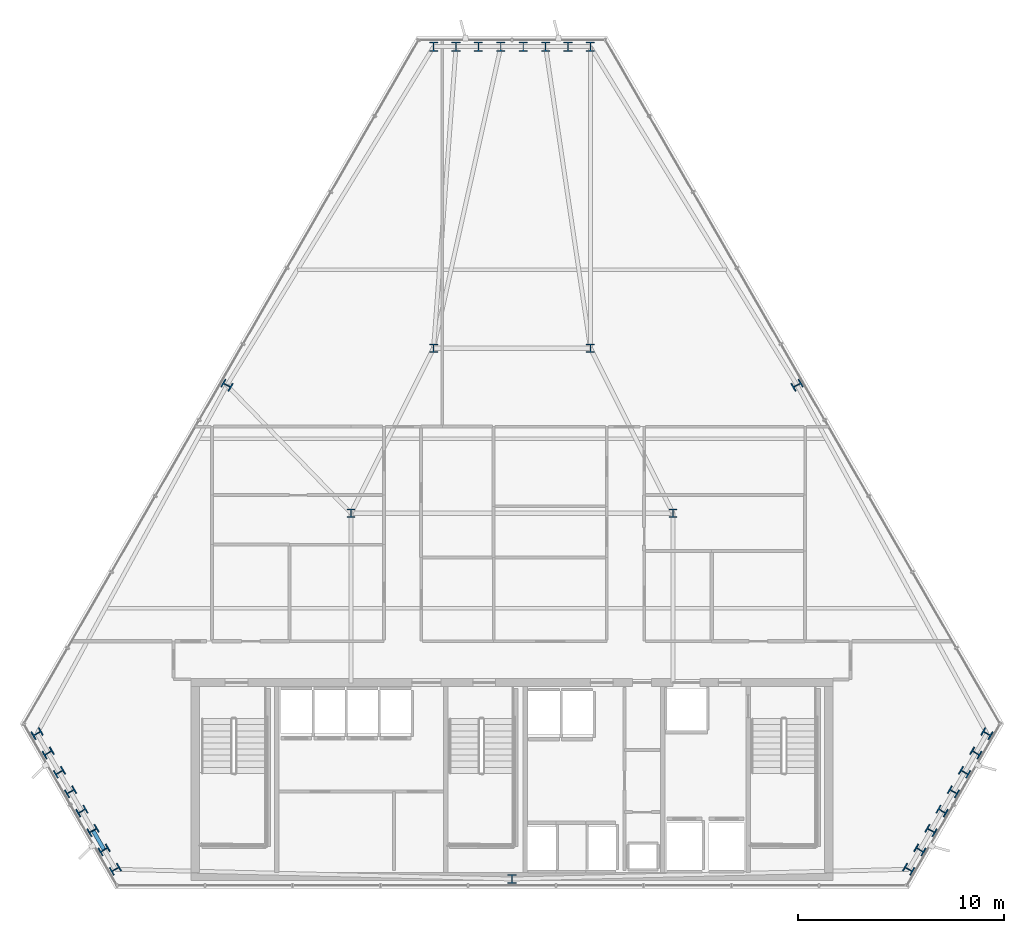
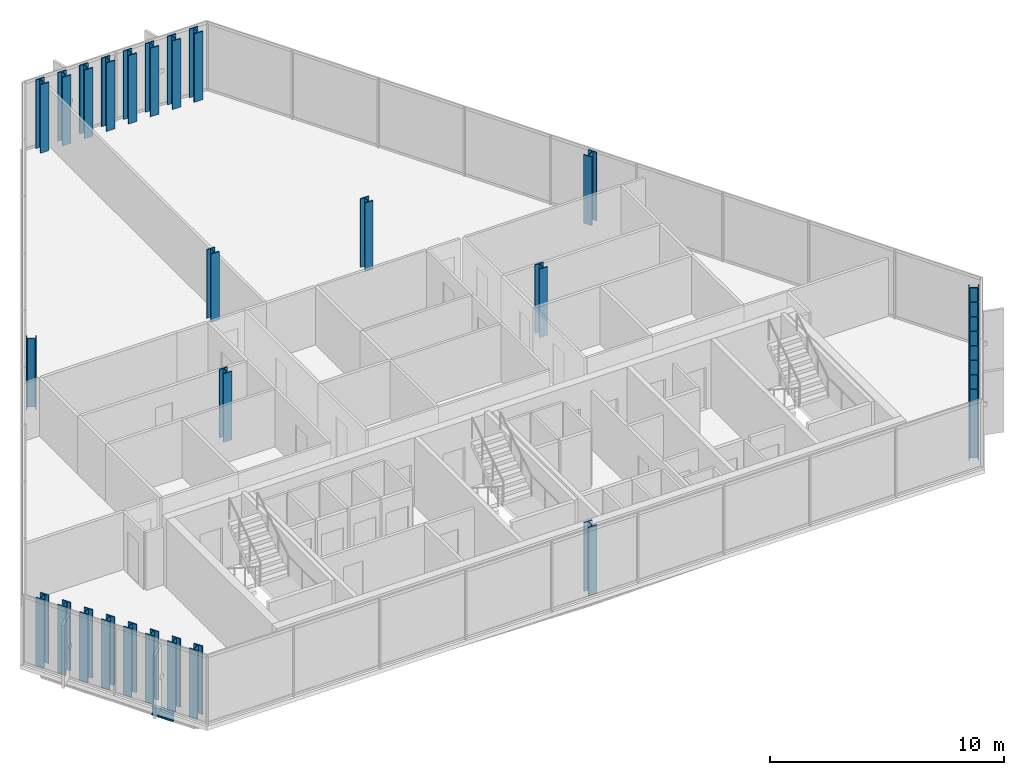
# One storey, part 1 of 34: 31 columns, 1 beam.
"""IFC4 building model written with IfcOpenShell, lengths in metres."""

from ifc_helpers import new_model, si_unit, direction, frame, origin, origin_2d, place, context, subcontext, project, spatial, i_section, extrude, material, material_profile, profile_set, type_object, element, save


model = new_model("IFC4")

# Units and contexts
model_context = context("Model", 3, precision=1e-05, world=origin(), true_north=direction((0.0, 1.0)))
body_context = subcontext(model_context, "Body", "Model", "MODEL_VIEW")
ifc_project = project(units=[si_unit("LENGTHUNIT", "METRE"), si_unit("AREAUNIT", "SQUARE_METRE"), si_unit("VOLUMEUNIT", "CUBIC_METRE"), si_unit("PLANEANGLEUNIT", "RADIAN"), si_unit("MASSUNIT", "GRAM", prefix="KILO")], contexts=[model_context])

# Site, building, storey
site_placement = place(None, origin())
site = spatial("IfcSite", under=ifc_project, at=site_placement, CompositionType="ELEMENT")
building_placement = place(site_placement, origin())
building = spatial("IfcBuilding", under=site, at=building_placement, Name="Ndaravel Arena Tower", CompositionType="ELEMENT")
storey_placement = place(building_placement, frame((0.0, 0.0, 195.39990234375)))
storey = spatial("IfcBuildingStorey", under=building, at=storey_placement, Name="L47", CompositionType="ELEMENT", Elevation=195.39990234375)

# Columns
ifc_material_1 = material(Name="Steel S355", Category="steel")
ifc_material_profile_1 = material_profile(ifc_material_1, i_section(OverallWidth=0.406982421875, OverallDepth=0.4189453125, WebThickness=0.030517578125, FlangeThickness=0.04931640625, FilletRadius=0.01513671875, at=origin_2d()), Name="UC 356x406x393")
ifc_profile_set_1 = profile_set([ifc_material_profile_1], Name="Steel S355")
column_type_1 = type_object("IfcColumnType", Name="COL-INT-UC393", PredefinedType="COLUMN", material=ifc_profile_set_1)
for number, where, z_axis, x_axis, name in (
    (1, (34.199951171875, 23.199951171875, 0.0), (0.0, 0.0, 1.0), (1.0, 0.0, 0.0), "L47 Interior Spine Column IC-01"),
    (2, (49.800048828125, 23.199951171875, 0.0), (0.0, 0.0, 1.0), (1.0, 0.0, 0.0), "L47 Interior Spine Column IC-02"),
    (3, (38.199951171875, 31.199951171875, 0.0), (0.0, 0.0, 1.0), (1.0, 0.0, 0.0), "L47 Interior Spine Column IC-03"),
    (4, (45.800048828125, 31.199951171875, 0.0), (0.0, 0.0, 1.0), (1.0, 0.0, 0.0), "L47 Interior Spine Column IC-04"),
):
    element("IfcColumn", number, at=place(storey_placement, frame(where, z_axis=z_axis, x_axis=x_axis)), inside=storey, type_object=column_type_1, Name=name, PredefinedType="COLUMN", context=body_context, shape_type="SweptSolid", body=[
        extrude(i_section(OverallWidth=0.406982421875, OverallDepth=0.4189453125, WebThickness=0.030517578125, FlangeThickness=0.04931640625, FilletRadius=0.01513671875, at=origin_2d()), origin(), (0.0, 0.0, 1.0), 3.580078125),
    ])
ifc_material_2 = material(Name="Steel S355", Category="steel")
ifc_material_profile_2 = material_profile(ifc_material_2, i_section(OverallWidth=0.41796875, OverallDepth=0.455078125, WebThickness=0.0419921875, FlangeThickness=0.052001953125, FilletRadius=0.014892578125, at=origin_2d()), Name="HD 400x551")
ifc_profile_set_2 = profile_set([ifc_material_profile_2], Name="Steel S355")
column_type_2 = type_object("IfcColumnType", Name="COL-TUBE-HD551", PredefinedType="COLUMN", material=ifc_profile_set_2)
for number, where, z_axis, x_axis, name in (
    (5, (42.0, 5.47998046875, 0.0), (0.0, 0.0, 1.0), (1.0, 0.0, 0.0), "L47 Framed Tube Column TC-01"),
    (6, (61.215087890625, 5.94970703125, 0.0), (0.0, 0.0, 1.0), (0.5, 0.866025403784, 0.0), "L47 Framed Tube Column TC-02"),
    (7, (61.75732421875, 6.888916015625, 0.0), (0.0, 0.0, 1.0), (0.5, 0.866025403784, 0.0), "L47 Framed Tube Column TC-03"),
    (8, (62.2998046875, 7.828125, 0.0), (0.0, 0.0, 1.0), (0.5, 0.866025403784, 0.0), "L47 Framed Tube Column TC-04"),
    (9, (62.842041015625, 8.767333984375, 0.0), (0.0, 0.0, 1.0), (0.5, 0.866025403784, 0.0), "L47 Framed Tube Column TC-05"),
    (10, (63.38427734375, 9.706787109375, 0.0), (0.0, 0.0, 1.0), (0.5, 0.866025403784, 0.0), "L47 Framed Tube Column TC-06"),
    (11, (63.926513671875, 10.64599609375, 0.0), (0.0, 0.0, 1.0), (0.5, 0.866025403784, 0.0), "L47 Framed Tube Column TC-07"),
    (12, (64.46875, 11.585205078125, 0.0), (0.0, 0.0, 1.0), (0.5, 0.866025403784, 0.0), "L47 Framed Tube Column TC-08"),
    (13, (65.010986328125, 12.5244140625, 0.0), (0.0, 0.0, 1.0), (0.5, 0.866025403784, 0.0), "L47 Framed Tube Column TC-09"),
    (14, (55.810302734375, 29.39990234375, 0.0), (0.0, 0.0, 1.0), (-0.5, 0.866025403784, 0.0), "L47 Framed Tube Column TC-10"),
    (15, (45.7958984375, 45.805908203125, 0.0), (0.0, 0.0, 1.0), (1.0, 0.0, 0.0), "L47 Framed Tube Column TC-11"),
    (16, (44.71142578125, 45.805908203125, 0.0), (0.0, 0.0, 1.0), (1.0, 0.0, 0.0), "L47 Framed Tube Column TC-12"),
    (17, (43.626953125, 45.805908203125, 0.0), (0.0, 0.0, 1.0), (1.0, 0.0, 0.0), "L47 Framed Tube Column TC-13"),
    (18, (42.542236328125, 45.805908203125, 0.0), (0.0, 0.0, 1.0), (1.0, 0.0, 0.0), "L47 Framed Tube Column TC-14"),
    (19, (41.457763671875, 45.805908203125, 0.0), (0.0, 0.0, 1.0), (1.0, 0.0, 0.0), "L47 Framed Tube Column TC-15"),
    (20, (40.373046875, 45.805908203125, 0.0), (0.0, 0.0, 1.0), (1.0, 0.0, 0.0), "L47 Framed Tube Column TC-16"),
    (21, (39.28857421875, 45.805908203125, 0.0), (0.0, 0.0, 1.0), (1.0, 0.0, 0.0), "L47 Framed Tube Column TC-17"),
    (22, (38.2041015625, 45.805908203125, 0.0), (0.0, 0.0, 1.0), (1.0, 0.0, 0.0), "L47 Framed Tube Column TC-18"),
    (23, (28.189697265625, 29.400146484375, 0.0), (0.0, 0.0, 1.0), (0.5, 0.866025403784, 0.0), "L47 Framed Tube Column TC-19"),
    (24, (18.989013671875, 12.5244140625, 0.0), (0.0, 0.0, 1.0), (-0.5, 0.866025403784, 0.0), "L47 Framed Tube Column TC-20"),
    (25, (19.53125, 11.585205078125, 0.0), (0.0, 0.0, 1.0), (-0.5, 0.866025403784, 0.0), "L47 Framed Tube Column TC-21"),
    (26, (20.073486328125, 10.64599609375, 0.0), (0.0, 0.0, 1.0), (-0.5, 0.866025403784, 0.0), "L47 Framed Tube Column TC-22"),
    (27, (20.61572265625, 9.706787109375, 0.0), (0.0, 0.0, 1.0), (-0.5, 0.866025403784, 0.0), "L47 Framed Tube Column TC-23"),
    (28, (21.157958984375, 8.767333984375, 0.0), (0.0, 0.0, 1.0), (-0.5, 0.866025403784, 0.0), "L47 Framed Tube Column TC-24"),
    (29, (21.7001953125, 7.828125, 0.0), (0.0, 0.0, 1.0), (-0.5, 0.866025403784, 0.0), "L47 Framed Tube Column TC-25"),
    (30, (22.24267578125, 6.888916015625, 0.0), (0.0, 0.0, 1.0), (-0.5, 0.866025403784, 0.0), "L47 Framed Tube Column TC-26"),
    (31, (22.784912109375, 5.94970703125, 0.0), (0.0, 0.0, 1.0), (-0.5, 0.866025403784, 0.0), "L47 Framed Tube Column TC-27"),
):
    element("IfcColumn", number, at=place(storey_placement, frame(where, z_axis=z_axis, x_axis=x_axis)), inside=storey, type_object=column_type_2, Name=name, PredefinedType="COLUMN", context=body_context, shape_type="SweptSolid", body=[
        extrude(i_section(OverallWidth=0.41796875, OverallDepth=0.455078125, WebThickness=0.0419921875, FlangeThickness=0.052001953125, FilletRadius=0.014892578125, at=origin_2d()), origin(), (0.0, 0.0, 1.0), 3.580078125),
    ])

# Beam
ifc_material_3 = material(Name="Steel S355", Category="steel")
ifc_material_profile_3 = material_profile(ifc_material_3, i_section(OverallWidth=0.18994140625, OverallDepth=0.449951171875, WebThickness=0.009521484375, FlangeThickness=0.0146484375, FilletRadius=0.02099609375, at=origin_2d()), Name="IPE 450")
ifc_profile_set_3 = profile_set([ifc_material_profile_3], Name="Steel S355")
beam_type = type_object("IfcBeamType", Name="BM-SPAN-IPE450", PredefinedType="SPANDREL", material=ifc_profile_set_3)
beam_placement = place(storey_placement, frame((21.7001953125, 7.828125, -0.44482421875), z_axis=(0.50015758769, -0.86593440137, 0.0), x_axis=(0.86593440137, 0.50015758769, 0.0)))
element("IfcBeam", 32, at=beam_placement, inside=storey, type_object=beam_type, Name="L47 Perimeter Spandrel Beam SP-25", PredefinedType="SPANDREL", context=body_context, shape_type="SweptSolid", body=[
    extrude(i_section(OverallWidth=0.18994140625, OverallDepth=0.449951171875, WebThickness=0.009521484375, FlangeThickness=0.0146484375, FilletRadius=0.02099609375, at=origin_2d()), origin(), (0.0, 0.0, 1.0), 1.084716796875),
])

save(model, "model.ifc")
